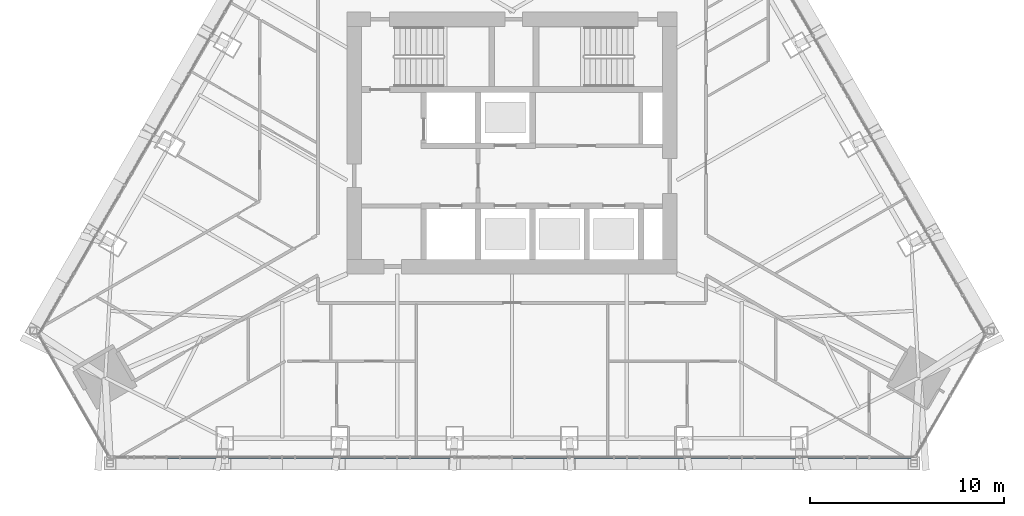
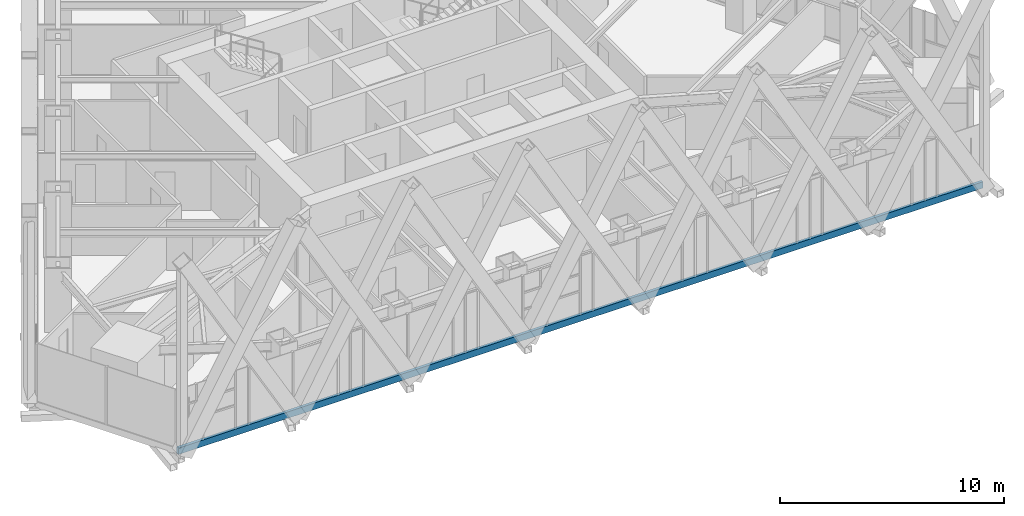
# One storey, part 3 of 23: 1 member, 1 element without a shape of its own.
"""IFC4 building model written with IfcOpenShell, lengths in metres."""

from ifc_helpers import new_model, si_unit, direction, frame, origin, origin_2d, place, context, subcontext, project, spatial, rectangle, extrude, material, layer, layer_set, material_profile, profile_set, type_object, element, aggregate, save


model = new_model("IFC4")

# Units and contexts
model_context = context("Model", 3, precision=1e-05, world=origin(), true_north=direction((0.0, 1.0)))
body_context = subcontext(model_context, "Body", "Model", "MODEL_VIEW")
ifc_project = project(units=[si_unit("LENGTHUNIT", "METRE"), si_unit("AREAUNIT", "SQUARE_METRE"), si_unit("VOLUMEUNIT", "CUBIC_METRE"), si_unit("PLANEANGLEUNIT", "RADIAN"), si_unit("MASSUNIT", "GRAM", prefix="KILO")], contexts=[model_context])

# Site, building, storey
site_placement = place(None, origin())
site = spatial("IfcSite", under=ifc_project, at=site_placement, CompositionType="ELEMENT")
building_placement = place(site_placement, origin())
building = spatial("IfcBuilding", under=site, at=building_placement, Name="Firuza Gate Tower and Library", CompositionType="ELEMENT")
storey_placement = place(building_placement, frame((0.0, 0.0, 312.60009765625)))
storey = spatial("IfcBuildingStorey", under=building, at=storey_placement, Name="L76", CompositionType="ELEMENT", Elevation=312.60009765625)

# Curtain wall, member
ifc_material_1 = material(Name="Aluminium 6063-T6", Category="aluminium")
ifc_layer = layer(ifc_material_1, 0.14990234375)
ifc_layer_set = layer_set([ifc_layer], Name="Unitised curtain wall, residences")
curtain_wall_type = type_object("IfcCurtainWallType", Name="Unitised curtain wall, residences", PredefinedType="NOTDEFINED", material=ifc_layer_set)
curtain_wall_placement = place(storey_placement, origin())
curtain_wall = element("IfcCurtainWall", 1, at=curtain_wall_placement, inside=storey, type_object=curtain_wall_type, Name="CW3 L76 S face", PredefinedType="NOTDEFINED")
ifc_material_2 = material(Name="Aluminium 6063-T6", Category="aluminium")
ifc_material_profile = material_profile(ifc_material_2, rectangle(XDim=0.14990234375, YDim=0.35009765625, at=origin_2d()))
ifc_profile_set = profile_set([ifc_material_profile], Name="Aluminium 6063-T6")
member_type = type_object("IfcMemberType", Name="Curtain wall transom 350x150", PredefinedType="USERDEFINED", material=ifc_profile_set)
member_placement = place(storey_placement, frame((54.23681640625, 58.805419921875, -0.025146484375), z_axis=(1.0, 0.0, 0.0), x_axis=(0.0, 1.0, 0.0)))
member = element("IfcMember", 2, at=member_placement, type_object=member_type, Name="Transom", ObjectType="TRANSOM", PredefinedType="USERDEFINED", context=body_context, shape_type="SweptSolid", body=[
    extrude(rectangle(XDim=0.14990234375, YDim=0.35009765625, at=origin_2d()), origin(), (0.0, 0.0, 1.0), 41.5263671875),
])
aggregate(curtain_wall, [member])

save(model, "model.ifc")
